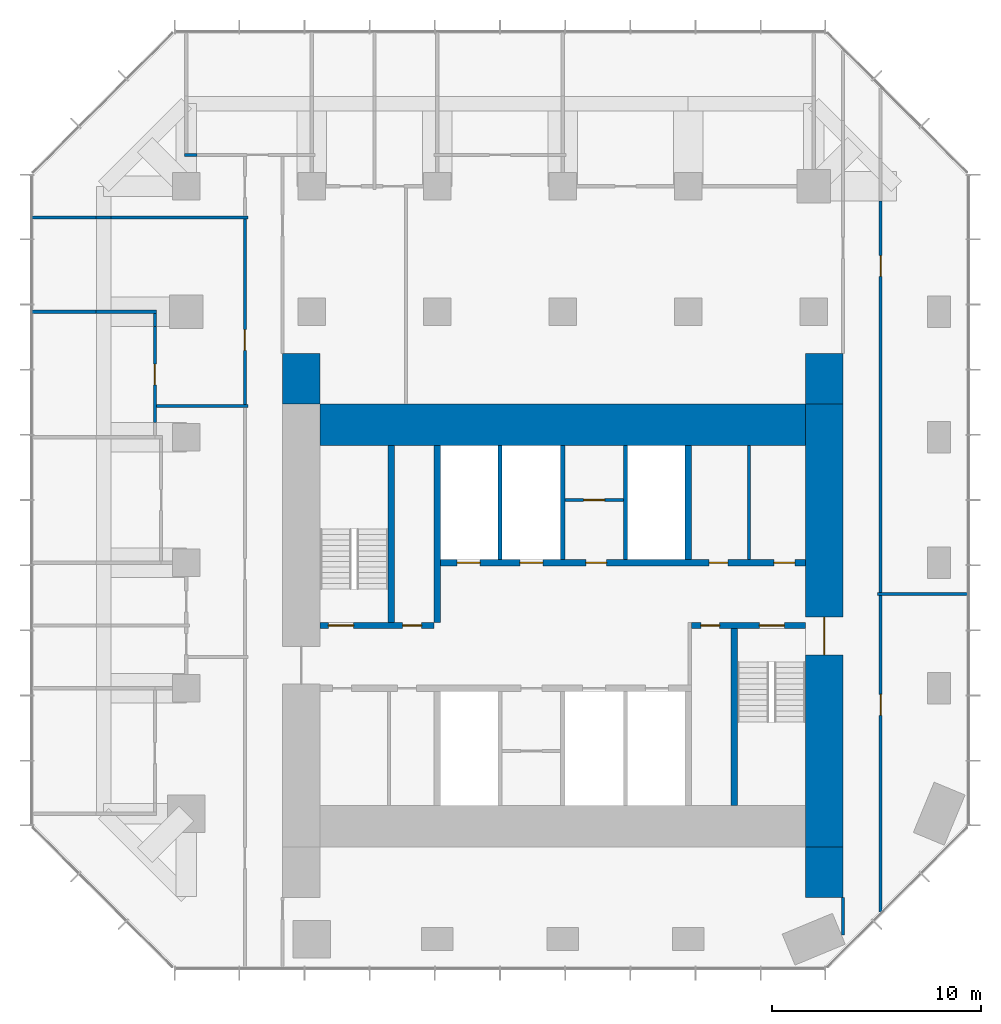
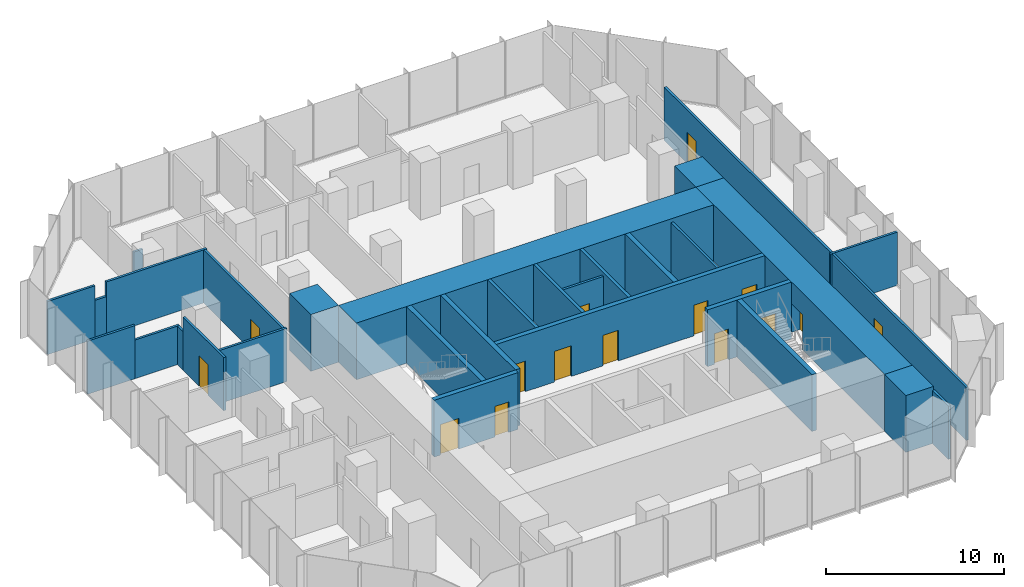
# One storey, part 9 of 11: 31 walls, 15 doors, 15 openings.
"""IFC4 building model written with IfcOpenShell, lengths in metres."""

import ifcopenshell
import ifcopenshell.guid

model = None  # the IFC model being written
_history = None  # IfcOwnerHistory: only IFC2X3 demands one
_inside = {}  # id of a spatial element -> (the spatial element, [elements in it])
_under = {}  # id of a project, library or spatial element -> (it, [spatial elements below it])
_declared = {}  # id of a project -> (the project, [libraries it declares])
_typed = {}  # id of a type object -> (the type object, [elements of that type])
_made_of = {}  # id of a material, layer set ... -> (it, [elements and type objects made of it])


def new_model(schema):
    """Start an empty IFC model of exactly this schema.

    Asked for "IFC4X3", IfcOpenShell would pick the latest addendum, in which some entities
    have other attributes; the version numbers below select the first issue.
    IFC2X3 requires an IfcOwnerHistory on every rooted entity: one is made here for all.
    """
    global model, _history
    if schema == "IFC4X3":
        model = ifcopenshell.file(schema_version=(4, 3, 0, 0))
    else:
        model = ifcopenshell.file(schema=schema)
    _inside.clear()
    _under.clear()
    _declared.clear()
    _typed.clear()
    _made_of.clear()
    _history = None
    if model.schema == "IFC2X3":
        org = make("IfcOrganization", Name="unknown")
        user = make(
            "IfcPersonAndOrganization",
            ThePerson=make("IfcPerson", FamilyName="unknown"),
            TheOrganization=org,
        )
        app = make(
            "IfcApplication",
            ApplicationDeveloper=org,
            Version="unknown",
            ApplicationFullName="unknown",
            ApplicationIdentifier="unknown",
        )
        _history = make(
            "IfcOwnerHistory",
            OwningUser=user,
            OwningApplication=app,
            ChangeAction="ADDED",
            CreationDate=0,
        )
    return model


def make(cls, **values):
    """One entity of the class cls with the attributes given. An attribute that is None is left unset."""
    return model.create_entity(
        cls, **{name: value for name, value in values.items() if value is not None}
    )


def rooted(cls, **values):
    """An entity with a GlobalId (a new one), such as an element, a storey or a relation."""
    return make(cls, GlobalId=ifcopenshell.guid.new(), OwnerHistory=_history, **values)


def si_unit(unit_type, name, prefix=None):
    """IfcSIUnit, for example si_unit("LENGTHUNIT", "METRE", prefix="MILLI")."""
    return make("IfcSIUnit", UnitType=unit_type, Prefix=prefix, Name=name)


def assignment(units):
    """IfcUnitAssignment: the units of a project."""
    return None if units is None else make("IfcUnitAssignment", Units=units)


def point(xyz):
    """IfcCartesianPoint."""
    return None if xyz is None else make("IfcCartesianPoint", Coordinates=xyz)


def direction(xyz):
    """IfcDirection."""
    return None if xyz is None else make("IfcDirection", DirectionRatios=xyz)


def frame(location, z_axis=None, x_axis=None):
    """IfcAxis2Placement3D, a coordinate frame: its origin and axes. An axis left out is left unset."""
    return make(
        "IfcAxis2Placement3D",
        Location=point(location),
        Axis=direction(z_axis),
        RefDirection=direction(x_axis),
    )


def frame_2d(location, x_axis=None):
    """IfcAxis2Placement2D, a coordinate frame in the plane: its origin and x axis."""
    return make(
        "IfcAxis2Placement2D", Location=point(location), RefDirection=direction(x_axis)
    )


def origin():
    """The frame at (0, 0, 0) with its axes left unset."""
    return frame((0.0, 0.0, 0.0))


def place(relative_to, where):
    """IfcLocalPlacement: puts the frame where relative to a parent placement (None: the world)."""
    return make(
        "IfcLocalPlacement", PlacementRelTo=relative_to, RelativePlacement=where
    )


def context(
    kind, dimensions, precision=None, world=None, true_north=None, identifier=None
):
    """IfcGeometricRepresentationContext, for example the 3D "Model" context."""
    return make(
        "IfcGeometricRepresentationContext",
        ContextIdentifier=identifier,
        ContextType=kind,
        CoordinateSpaceDimension=dimensions,
        Precision=precision,
        WorldCoordinateSystem=world,
        TrueNorth=true_north,
    )


def subcontext(parent, identifier, kind, view, scale=None):
    """IfcGeometricRepresentationSubContext, for example "Body" below "Model"."""
    return make(
        "IfcGeometricRepresentationSubContext",
        ContextIdentifier=identifier,
        ContextType=kind,
        ParentContext=parent,
        TargetScale=scale,
        TargetView=view,
    )


def project(units=None, contexts=None):
    """IfcProject with its units and contexts."""
    return rooted(
        "IfcProject",
        Name="project",
        RepresentationContexts=contexts,
        UnitsInContext=assignment(units),
    )


def spatial(cls, under=None, at=None, **own):
    """A site, building, storey or space (cls), placed at a placement, below another one or the project."""
    s = rooted(cls, ObjectPlacement=at, **own)
    if under is not None:
        _under.setdefault(under.id(), (under, []))[1].append(s)
    return s


def profile(cls, at=None, kind="AREA", **sizes):
    """A parametric profile (cls). Its sizes go by their IFC names, for example OverallWidth=200.0."""
    return make(cls, ProfileType=kind, Position=at, **sizes)


def rectangle(**sizes):
    """IfcRectangleProfileDef."""
    return profile("IfcRectangleProfileDef", **sizes)


def extrude(swept, where, along, depth):
    """IfcExtrudedAreaSolid: the profile swept, set in the frame where, extruded along a direction by depth."""
    return make(
        "IfcExtrudedAreaSolid",
        SweptArea=swept,
        Position=where,
        ExtrudedDirection=direction(along),
        Depth=depth,
    )


def shape(context_of_items, identifier, shape_type, items):
    """IfcShapeRepresentation: the items that make up one representation, for example the "Body"."""
    return make(
        "IfcShapeRepresentation",
        ContextOfItems=context_of_items,
        RepresentationIdentifier=identifier,
        RepresentationType=shape_type,
        Items=items,
    )


def material(Name=None, Category=None):
    """IfcMaterial."""
    return make("IfcMaterial", Name=Name, Category=Category)


def layer(
    of_material, thickness, ventilated=None, Name=None, Category=None, Priority=None
):
    """IfcMaterialLayer: one layer of a wall or slab, of a material (None: an air gap)."""
    return make(
        "IfcMaterialLayer",
        Material=of_material,
        LayerThickness=thickness,
        IsVentilated=ventilated,
        Name=Name,
        Category=Category,
        Priority=Priority,
    )


def layer_set(layers, Name=None):
    """IfcMaterialLayerSet."""
    return make("IfcMaterialLayerSet", MaterialLayers=layers, LayerSetName=Name)


def made_of(thing, what):
    """Note that an element or type object is made of a material, layer set ...; save() writes the relation."""
    if what is not None:
        _made_of.setdefault(what.id(), (what, []))[1].append(thing)
    return thing


def type_object(cls, material=None, **own):
    """A type object (cls), such as IfcWallType, which elements share."""
    return made_of(rooted(cls, **own), material)


def element(
    cls,
    number,
    at=None,
    inside=None,
    cuts=None,
    type_object=None,
    material=None,
    context=None,
    identifier="Body",
    shape_type=None,
    held_by="IfcProductDefinitionShape",
    body=None,
    shapes=None,
    **own,
):
    """One element of the class cls, such as IfcWall. Its Tag is "e" and its number.

    at: its placement. inside: the storey or other place that contains it. cuts: it is an
    opening in that element (IfcRelVoidsElement). A single representation is given by context,
    identifier, shape_type and body (its items); several are given by shapes. held_by: the class
    of the entity that holds the representations. save() writes the other relations.
    """
    e = rooted(cls, Tag="e%d" % number, ObjectPlacement=at, **own)
    if body is not None:
        shapes = [shape(context, identifier, shape_type, body)]
    if shapes is not None:
        e.Representation = make(held_by, Representations=shapes)
    if inside is not None:
        _inside.setdefault(inside.id(), (inside, []))[1].append(e)
    if cuts is not None:
        rooted(
            "IfcRelVoidsElement", RelatingBuildingElement=cuts, RelatedOpeningElement=e
        )
    if type_object is not None:
        _typed.setdefault(type_object.id(), (type_object, []))[1].append(e)
    return made_of(e, material)


def fill(opening, filler):
    """IfcRelFillsElement: the door or window that sits in an opening."""
    return rooted(
        "IfcRelFillsElement",
        RelatingOpeningElement=opening,
        RelatedBuildingElement=filler,
    )


def aggregate(whole, parts):
    """IfcRelAggregates: a whole, such as a stair, and the parts it consists of."""
    return rooted("IfcRelAggregates", RelatingObject=whole, RelatedObjects=parts)


def save(model, path):
    """Write the relations noted so far, then the file.

    IfcRelAggregates (storeys below a building ...), IfcRelContainedInSpatialStructure (elements
    in a storey), IfcRelDefinesByType, IfcRelAssociatesMaterial and IfcRelDeclares: one each for
    every whole, place, type object, material and project.
    """
    for whole, parts in _under.values():
        aggregate(whole, parts)
    for where, things in _inside.values():
        rooted(
            "IfcRelContainedInSpatialStructure",
            RelatedElements=things,
            RelatingStructure=where,
        )
    for kind, things in _typed.values():
        rooted("IfcRelDefinesByType", RelatedObjects=things, RelatingType=kind)
    for what, things in _made_of.values():
        rooted("IfcRelAssociatesMaterial", RelatedObjects=things, RelatingMaterial=what)
    for by, libraries in _declared.values():
        rooted("IfcRelDeclares", RelatingContext=by, RelatedDefinitions=libraries)
    model.write(path)


model = new_model("IFC4")

# Units and contexts
model_context = context("Model", 3, precision=1e-05, world=origin(), true_north=direction((0.0, 1.0)))
body_context = subcontext(model_context, "Body", "Model", "MODEL_VIEW")
ifc_project = project(units=[si_unit("LENGTHUNIT", "METRE"), si_unit("AREAUNIT", "SQUARE_METRE"), si_unit("VOLUMEUNIT", "CUBIC_METRE"), si_unit("PLANEANGLEUNIT", "RADIAN"), si_unit("MASSUNIT", "GRAM", prefix="KILO")], contexts=[model_context])

# Site, building, storey
site_placement = place(None, origin())
site = spatial("IfcSite", under=ifc_project, at=site_placement, CompositionType="ELEMENT")
building_placement = place(site_placement, origin())
building = spatial("IfcBuilding", under=site, at=building_placement, Name="Highveld Stack Headquarters", CompositionType="ELEMENT")
storey_placement = place(building_placement, frame((0.0, 0.0, 200.60009765625)))
storey = spatial("IfcBuildingStorey", under=building, at=storey_placement, Name="L49", CompositionType="ELEMENT", Elevation=200.60009765625)

# Wall, opening, door
ifc_material_1 = material(Name="Concrete C60/75", Category="concrete")
ifc_layer_1 = layer(ifc_material_1, 1.800048828125)
ifc_layer_set_1 = layer_set([ifc_layer_1], Name="Concrete C60/75")
wall_type_1 = type_object("IfcWallType", Name="CORE WALL 1800 C60/75", PredefinedType="SHEAR", material=ifc_layer_set_1)
wall_1_placement = place(storey_placement, frame((18.5, -7.60009765625, 0.0), z_axis=(0.0, 0.0, 1.0), x_axis=(0.0, 1.0, 0.0)))
wall_1 = element("IfcWall", 1, at=wall_1_placement, inside=storey, type_object=wall_type_1, Name="Core wall E L49", PredefinedType="SHEAR", context=body_context, shape_type="SweptSolid", body=[
    extrude(rectangle(XDim=21.2001953125, YDim=1.800048828125, at=frame_2d((10.60009765625, 0.0))), origin(), (0.0, 0.0, 1.0), 3.89990234375),
])
opening_1_placement = place(wall_1_placement, frame((9.199951171875, 0.0, 0.0)))
opening_1 = element("IfcOpeningElement", 2, at=opening_1_placement, cuts=wall_1, Name="Opening L49-02", PredefinedType="OPENING", context=body_context, shape_type="SweptSolid", body=[
    extrude(rectangle(XDim=1.800048828125, YDim=2.39990234375, at=frame_2d((0.89990234375, 1.199951171875))), frame((0.0, 0.909912109375, 0.0), z_axis=(0.0, -1.0, 0.0), x_axis=(1.0, 0.0, 0.0)), (0.0, 0.0, 1.0), 1.820068359375),
])
ifc_material_2 = material(Name="Steel fire door", Category="steel")
door_type_1 = type_object("IfcDoorType", Name="LOBBY FIRE DOOR D4 1800x2400", OperationType="DOUBLE_DOOR_SINGLE_SWING", PredefinedType="DOOR", material=ifc_material_2)
door_1_placement = place(opening_1_placement, origin())
door_1 = element("IfcDoor", 3, at=door_1_placement, inside=storey, type_object=door_type_1, Name="Core east door L49", OperationType="DOUBLE_DOOR_SINGLE_SWING", OverallHeight=2.39990234375, OverallWidth=1.800048828125, PredefinedType="DOOR", context=body_context, shape_type="SweptSolid", body=[
    extrude(rectangle(XDim=1.800048828125, YDim=2.39990234375, at=frame_2d((0.89990234375, 1.199951171875))), frame((0.0, 0.02490234375, 0.0), z_axis=(0.0, -1.0, 0.0), x_axis=(1.0, 0.0, 0.0)), (0.0, 0.0, 1.0), 0.050048828125),
])
fill(opening_1, door_1)

# Wall
ifc_material_3 = material(Name="Concrete C60/75", Category="concrete")
ifc_layer_2 = layer(ifc_material_3, 2.0)
ifc_layer_set_2 = layer_set([ifc_layer_2], Name="Concrete C60/75")
wall_type_2 = type_object("IfcWallType", Name="CORE WALL 2000 C60/75", PredefinedType="SHEAR", material=ifc_layer_set_2)
wall_2_placement = place(storey_placement, frame((-5.60009765625, 12.60009765625, 0.0), z_axis=(0.0, 0.0, 1.0), x_axis=(1.0, 0.0, 0.0)))
element("IfcWall", 4, at=wall_2_placement, inside=storey, type_object=wall_type_2, Name="Core wall N L49", PredefinedType="SHEAR", context=body_context, shape_type="SweptSolid", body=[
    extrude(rectangle(XDim=23.2001953125, YDim=2.0, at=frame_2d((11.60009765625, 0.0))), origin(), (0.0, 0.0, 1.0), 3.89990234375),
])

# Wall, openings, doors
ifc_material_4 = material(Name="Concrete C60/75", Category="concrete")
ifc_layer_3 = layer(ifc_material_4, 0.300048828125)
ifc_layer_set_3 = layer_set([ifc_layer_3], Name="Concrete C60/75")
wall_type_3 = type_object("IfcWallType", Name="CORE WALL 300 C60/75", PredefinedType="SHEAR", material=ifc_layer_set_3)
wall_3_placement = place(storey_placement, frame((-5.60009765625, 3.0, 0.0), z_axis=(0.0, 0.0, 1.0), x_axis=(1.0, 0.0, 0.0)))
wall_3 = element("IfcWall", 5, at=wall_3_placement, inside=storey, type_object=wall_type_3, Name="Core wall I-Y3W L49", PredefinedType="SHEAR", context=body_context, shape_type="SweptSolid", body=[
    extrude(rectangle(XDim=5.4501953125, YDim=0.300048828125, at=frame_2d((2.72509765625, 0.0))), origin(), (0.0, 0.0, 1.0), 3.89990234375),
])
opening_2_placement = place(wall_3_placement, frame((0.39990234375, 0.0, 0.0)))
opening_2 = element("IfcOpeningElement", 6, at=opening_2_placement, cuts=wall_3, Name="Opening L49-03", PredefinedType="OPENING", context=body_context, shape_type="SweptSolid", body=[
    extrude(rectangle(XDim=1.199951171875, YDim=2.10009765625, at=frame_2d((0.60009765625, 1.050048828125))), frame((0.0, 0.159912109375, 0.0), z_axis=(0.0, -1.0, 0.0), x_axis=(1.0, 0.0, 0.0)), (0.0, 0.0, 1.0), 0.320068359375),
])
opening_3_placement = place(wall_3_placement, frame((3.949951171875, 0.0, 0.0)))
opening_3 = element("IfcOpeningElement", 7, at=opening_3_placement, cuts=wall_3, Name="Opening L49-04", PredefinedType="OPENING", context=body_context, shape_type="SweptSolid", body=[
    extrude(rectangle(XDim=0.89990234375, YDim=2.10009765625, at=frame_2d((0.449951171875, 1.050048828125))), frame((0.0, 0.159912109375, 0.0), z_axis=(0.0, -1.0, 0.0), x_axis=(1.0, 0.0, 0.0)), (0.0, 0.0, 1.0), 0.320068359375),
])
ifc_material_5 = material(Name="Steel fire door", Category="steel")
door_type_2 = type_object("IfcDoorType", Name="RISER ACCESS DOOR D5 900x2100", OperationType="SINGLE_SWING_LEFT", PredefinedType="DOOR", material=ifc_material_5)
door_2_placement = place(opening_3_placement, origin())
door_2 = element("IfcDoor", 8, at=door_2_placement, inside=storey, type_object=door_type_2, Name="Riser R1 door L49", OperationType="SINGLE_SWING_RIGHT", OverallHeight=2.10009765625, OverallWidth=0.89990234375, PredefinedType="DOOR", context=body_context, shape_type="SweptSolid", body=[
    extrude(rectangle(XDim=0.89990234375, YDim=2.10009765625, at=frame_2d((0.449951171875, 1.050048828125))), frame((0.0, 0.02490234375, 0.0), z_axis=(0.0, -1.0, 0.0), x_axis=(1.0, 0.0, 0.0)), (0.0, 0.0, 1.0), 0.050048828125),
])
fill(opening_3, door_2)
ifc_material_6 = material(Name="Steel fire door", Category="steel")
door_type_3 = type_object("IfcDoorType", Name="STAIR FIRE DOOR D3 1200x2100", OperationType="SINGLE_SWING_LEFT", PredefinedType="DOOR", material=ifc_material_6)
door_3_placement = place(opening_2_placement, origin())
door_3 = element("IfcDoor", 9, at=door_3_placement, inside=storey, type_object=door_type_3, Name="Stair S1 door L49", OperationType="SINGLE_SWING_LEFT", OverallHeight=2.10009765625, OverallWidth=1.199951171875, PredefinedType="DOOR", context=body_context, shape_type="SweptSolid", body=[
    extrude(rectangle(XDim=1.199951171875, YDim=2.10009765625, at=frame_2d((0.60009765625, 1.050048828125))), frame((0.0, 0.02490234375, 0.0), z_axis=(0.0, -1.0, 0.0), x_axis=(1.0, 0.0, 0.0)), (0.0, 0.0, 1.0), 0.050048828125),
])
fill(opening_2, door_3)

wall_4_placement = place(storey_placement, frame((12.14990234375, 3.0, 0.0), z_axis=(0.0, 0.0, 1.0), x_axis=(1.0, 0.0, 0.0)))
wall_4 = element("IfcWall", 10, at=wall_4_placement, inside=storey, type_object=wall_type_3, Name="Core wall I-Y3E L49", PredefinedType="SHEAR", context=body_context, shape_type="SweptSolid", body=[
    extrude(rectangle(XDim=5.4501953125, YDim=0.300048828125, at=frame_2d((2.72509765625, 0.0))), origin(), (0.0, 0.0, 1.0), 3.89990234375),
])
opening_4_placement = place(wall_4_placement, frame((3.25, 0.0, 0.0)))
opening_4 = element("IfcOpeningElement", 11, at=opening_4_placement, cuts=wall_4, Name="Opening L49-05", PredefinedType="OPENING", context=body_context, shape_type="SweptSolid", body=[
    extrude(rectangle(XDim=1.199951171875, YDim=2.10009765625, at=frame_2d((0.60009765625, 1.050048828125))), frame((0.0, 0.159912109375, 0.0), z_axis=(0.0, -1.0, 0.0), x_axis=(1.0, 0.0, 0.0)), (0.0, 0.0, 1.0), 0.320068359375),
])
opening_5_placement = place(wall_4_placement, frame((0.449951171875, 0.0, 0.0)))
opening_5 = element("IfcOpeningElement", 12, at=opening_5_placement, cuts=wall_4, Name="Opening L49-06", PredefinedType="OPENING", context=body_context, shape_type="SweptSolid", body=[
    extrude(rectangle(XDim=0.89990234375, YDim=2.10009765625, at=frame_2d((0.449951171875, 1.050048828125))), frame((0.0, 0.159912109375, 0.0), z_axis=(0.0, -1.0, 0.0), x_axis=(1.0, 0.0, 0.0)), (0.0, 0.0, 1.0), 0.320068359375),
])
door_4_placement = place(opening_5_placement, origin())
door_4 = element("IfcDoor", 13, at=door_4_placement, inside=storey, type_object=door_type_2, Name="Riser R2 door L49", OperationType="SINGLE_SWING_LEFT", OverallHeight=2.10009765625, OverallWidth=0.89990234375, PredefinedType="DOOR", context=body_context, shape_type="SweptSolid", body=[
    extrude(rectangle(XDim=0.89990234375, YDim=2.10009765625, at=frame_2d((0.449951171875, 1.050048828125))), frame((0.0, 0.02490234375, 0.0), z_axis=(0.0, -1.0, 0.0), x_axis=(1.0, 0.0, 0.0)), (0.0, 0.0, 1.0), 0.050048828125),
])
fill(opening_5, door_4)
door_5_placement = place(opening_4_placement, origin())
door_5 = element("IfcDoor", 14, at=door_5_placement, inside=storey, type_object=door_type_3, Name="Stair S2 door L49", OperationType="SINGLE_SWING_RIGHT", OverallHeight=2.10009765625, OverallWidth=1.199951171875, PredefinedType="DOOR", context=body_context, shape_type="SweptSolid", body=[
    extrude(rectangle(XDim=1.199951171875, YDim=2.10009765625, at=frame_2d((0.60009765625, 1.050048828125))), frame((0.0, 0.02490234375, 0.0), z_axis=(0.0, -1.0, 0.0), x_axis=(1.0, 0.0, 0.0)), (0.0, 0.0, 1.0), 0.050048828125),
])
fill(opening_4, door_5)

wall_5_placement = place(storey_placement, frame((-0.14990234375, 6.0, 0.0), z_axis=(0.0, 0.0, 1.0), x_axis=(1.0, 0.0, 0.0)))
wall_5 = element("IfcWall", 15, at=wall_5_placement, inside=storey, type_object=wall_type_3, Name="Core wall I-Y6 L49", PredefinedType="SHEAR", context=body_context, shape_type="SweptSolid", body=[
    extrude(rectangle(XDim=17.75, YDim=0.300048828125, at=frame_2d((8.875, 0.0))), origin(), (0.0, 0.0, 1.0), 3.89990234375),
])
opening_6_placement = place(wall_5_placement, frame((13.14990234375, 0.0, 0.0)))
opening_6 = element("IfcOpeningElement", 16, at=opening_6_placement, cuts=wall_5, Name="Opening L49-09", PredefinedType="OPENING", context=body_context, shape_type="SweptSolid", body=[
    extrude(rectangle(XDim=0.89990234375, YDim=2.10009765625, at=frame_2d((0.449951171875, 1.050048828125))), frame((0.0, 0.159912109375, 0.0), z_axis=(0.0, -1.0, 0.0), x_axis=(1.0, 0.0, 0.0)), (0.0, 0.0, 1.0), 0.320068359375),
])
opening_7_placement = place(wall_5_placement, frame((16.25, 0.0, 0.0)))
opening_7 = element("IfcOpeningElement", 17, at=opening_7_placement, cuts=wall_5, Name="Opening L49-10", PredefinedType="OPENING", context=body_context, shape_type="SweptSolid", body=[
    extrude(rectangle(XDim=1.0, YDim=2.10009765625, at=frame_2d((0.5, 1.050048828125))), frame((0.0, 0.159912109375, 0.0), z_axis=(0.0, -1.0, 0.0), x_axis=(1.0, 0.0, 0.0)), (0.0, 0.0, 1.0), 0.320068359375),
])
opening_8_placement = place(wall_5_placement, frame((7.25, 0.0, 0.0)))
opening_8 = element("IfcOpeningElement", 18, at=opening_8_placement, cuts=wall_5, Name="Opening L49-12", PredefinedType="OPENING", context=body_context, shape_type="SweptSolid", body=[
    extrude(rectangle(XDim=1.0, YDim=2.10009765625, at=frame_2d((0.5, 1.050048828125))), frame((0.0, 0.159912109375, 0.0), z_axis=(0.0, -1.0, 0.0), x_axis=(1.0, 0.0, 0.0)), (0.0, 0.0, 1.0), 0.320068359375),
])
opening_9_placement = place(wall_5_placement, frame((1.10009765625, 0.0, 0.0)))
opening_9 = element("IfcOpeningElement", 19, at=opening_9_placement, cuts=wall_5, Name="Opening LD", PredefinedType="OPENING", context=body_context, shape_type="SweptSolid", body=[
    extrude(rectangle(XDim=1.10009765625, YDim=2.10009765625, at=frame_2d((0.550048828125, 1.050048828125))), frame((0.0, 0.159912109375, 0.0), z_axis=(0.0, -1.0, 0.0), x_axis=(1.0, 0.0, 0.0)), (0.0, 0.0, 1.0), 0.320068359375),
])
opening_10_placement = place(wall_5_placement, frame((4.10009765625, 0.0, 0.0)))
opening_10 = element("IfcOpeningElement", 20, at=opening_10_placement, cuts=wall_5, Name="Opening LD", PredefinedType="OPENING", context=body_context, shape_type="SweptSolid", body=[
    extrude(rectangle(XDim=1.10009765625, YDim=2.10009765625, at=frame_2d((0.550048828125, 1.050048828125))), frame((0.0, 0.159912109375, 0.0), z_axis=(0.0, -1.0, 0.0), x_axis=(1.0, 0.0, 0.0)), (0.0, 0.0, 1.0), 0.320068359375),
])
ifc_material_7 = material(Name="Timber door, painted", Category="wood")
door_type_4 = type_object("IfcDoorType", Name="ACCESSIBLE WC DOOR D2 1000x2100", OperationType="SINGLE_SWING_RIGHT", PredefinedType="DOOR", material=ifc_material_7)
door_6_placement = place(opening_7_placement, origin())
door_6 = element("IfcDoor", 21, at=door_6_placement, inside=storey, type_object=door_type_4, Name="Accessible WC door L49", OperationType="SINGLE_SWING_RIGHT", OverallHeight=2.10009765625, OverallWidth=1.0, PredefinedType="DOOR", context=body_context, shape_type="SweptSolid", body=[
    extrude(rectangle(XDim=1.0, YDim=2.10009765625, at=frame_2d((0.5, 1.050048828125))), frame((0.0, 0.02490234375, 0.0), z_axis=(0.0, -1.0, 0.0), x_axis=(1.0, 0.0, 0.0)), (0.0, 0.0, 1.0), 0.050048828125),
])
fill(opening_7, door_6)
ifc_material_8 = material(Name="Steel fire door", Category="steel")
door_type_5 = type_object("IfcDoorType", Name="CORE ROOM FIRE DOOR D14 1000x2100", OperationType="SINGLE_SWING_LEFT", PredefinedType="DOOR", material=ifc_material_8)
door_7_placement = place(opening_8_placement, origin())
door_7 = element("IfcDoor", 22, at=door_7_placement, inside=storey, type_object=door_type_5, Name="Capped A 1 door L49", OperationType="SINGLE_SWING_LEFT", OverallHeight=2.10009765625, OverallWidth=1.0, PredefinedType="DOOR", context=body_context, shape_type="SweptSolid", body=[
    extrude(rectangle(XDim=1.0, YDim=2.10009765625, at=frame_2d((0.5, 1.050048828125))), frame((0.0, 0.02490234375, 0.0), z_axis=(0.0, -1.0, 0.0), x_axis=(1.0, 0.0, 0.0)), (0.0, 0.0, 1.0), 0.050048828125),
])
fill(opening_8, door_7)
ifc_material_9 = material(Name="Stainless steel lift landing door", Category="steel")
door_type_6 = type_object("IfcDoorType", Name="LIFT LANDING DOOR LD 1100x2100", OperationType="DOUBLE_DOOR_SLIDING", PredefinedType="USERDEFINED", material=ifc_material_9)
door_8_placement = place(opening_9_placement, origin())
door_8 = element("IfcDoor", 23, at=door_8_placement, inside=storey, type_object=door_type_6, Name="Lift landing door FF1 L49", ObjectType="LIFT LANDING DOOR", OperationType="DOUBLE_DOOR_SLIDING", OverallHeight=2.10009765625, OverallWidth=1.10009765625, PredefinedType="USERDEFINED", context=body_context, shape_type="SweptSolid", body=[
    extrude(rectangle(XDim=1.10009765625, YDim=2.10009765625, at=frame_2d((0.550048828125, 1.050048828125))), frame((0.0, 0.02490234375, 0.0), z_axis=(0.0, -1.0, 0.0), x_axis=(1.0, 0.0, 0.0)), (0.0, 0.0, 1.0), 0.050048828125),
])
fill(opening_9, door_8)
door_9_placement = place(opening_10_placement, origin())
door_9 = element("IfcDoor", 24, at=door_9_placement, inside=storey, type_object=door_type_6, Name="Lift landing door FF2 L49", ObjectType="LIFT LANDING DOOR", OperationType="DOUBLE_DOOR_SLIDING", OverallHeight=2.10009765625, OverallWidth=1.10009765625, PredefinedType="USERDEFINED", context=body_context, shape_type="SweptSolid", body=[
    extrude(rectangle(XDim=1.10009765625, YDim=2.10009765625, at=frame_2d((0.550048828125, 1.050048828125))), frame((0.0, 0.02490234375, 0.0), z_axis=(0.0, -1.0, 0.0), x_axis=(1.0, 0.0, 0.0)), (0.0, 0.0, 1.0), 0.050048828125),
])
fill(opening_10, door_9)
ifc_material_10 = material(Name="Timber door, painted", Category="wood")
door_type_7 = type_object("IfcDoorType", Name="WC DOOR D1 900x2100", OperationType="SINGLE_SWING_LEFT", PredefinedType="DOOR", material=ifc_material_10)
door_10_placement = place(opening_6_placement, origin())
door_10 = element("IfcDoor", 25, at=door_10_placement, inside=storey, type_object=door_type_7, Name="Male WC door L49", OperationType="SINGLE_SWING_RIGHT", OverallHeight=2.10009765625, OverallWidth=0.89990234375, PredefinedType="DOOR", context=body_context, shape_type="SweptSolid", body=[
    extrude(rectangle(XDim=0.89990234375, YDim=2.10009765625, at=frame_2d((0.449951171875, 1.050048828125))), frame((0.0, 0.02490234375, 0.0), z_axis=(0.0, -1.0, 0.0), x_axis=(1.0, 0.0, 0.0)), (0.0, 0.0, 1.0), 0.050048828125),
])
fill(opening_6, door_10)

# Walls
wall_6_placement = place(storey_placement, frame((0.0, 3.14990234375, 0.0), z_axis=(0.0, 0.0, 1.0), x_axis=(0.0, 1.0, 0.0)))
element("IfcWall", 26, at=wall_6_placement, inside=storey, type_object=wall_type_3, Name="Core wall I-X0N L49", PredefinedType="SHEAR", context=body_context, shape_type="SweptSolid", body=[
    extrude(rectangle(XDim=8.4501953125, YDim=0.300048828125, at=frame_2d((4.22509765625, 0.0))), origin(), (0.0, 0.0, 1.0), 3.89990234375),
])
wall_7_placement = place(storey_placement, frame((12.0, 6.14990234375, 0.0), z_axis=(0.0, 0.0, 1.0), x_axis=(0.0, 1.0, 0.0)))
element("IfcWall", 27, at=wall_7_placement, inside=storey, type_object=wall_type_3, Name="Core wall I-X12N L49", PredefinedType="SHEAR", context=body_context, shape_type="SweptSolid", body=[
    extrude(rectangle(XDim=5.4501953125, YDim=0.300048828125, at=frame_2d((2.72509765625, 0.0))), origin(), (0.0, 0.0, 1.0), 3.89990234375),
])
for number, where, z_axis, x_axis, name in (
    (28, (-2.199951171875, 3.14990234375, 0.0), (0.0, 0.0, 1.0), (0.0, 1.0, 0.0), "Core wall I-RW L49"),
    (29, (14.199951171875, -5.60009765625, 0.0), (0.0, 0.0, 1.0), (0.0, 1.0, 0.0), "Core wall I-RE L49"),
):
    element("IfcWall", number, at=place(storey_placement, frame(where, z_axis=z_axis, x_axis=x_axis)), inside=storey, type_object=wall_type_3, Name=name, PredefinedType="SHEAR", context=body_context, shape_type="SweptSolid", body=[
        extrude(rectangle(XDim=8.4501953125, YDim=0.300048828125, at=frame_2d((4.22509765625, 0.0))), origin(), (0.0, 0.0, 1.0), 3.89990234375),
    ])
ifc_material_11 = material(Name="Concrete C60/75", Category="concrete")
ifc_layer_4 = layer(ifc_material_11, 1.800048828125)
ifc_layer_set_4 = layer_set([ifc_layer_4], Name="Concrete C60/75")
wall_type_4 = type_object("IfcWallType", Name="CORE WING WALL 1800 C60/75", PredefinedType="SHEAR", material=ifc_layer_set_4)
for number, where, z_axis, x_axis, name in (
    (30, (-6.5, 13.60009765625, 0.0), (0.0, 0.0, 1.0), (0.0, 1.0, 0.0), "Core wing wall WN L49"),
    (31, (18.5, -10.0, 0.0), (0.0, 0.0, 1.0), (0.0, 1.0, 0.0), "Core wing wall ES L49"),
    (32, (18.5, 13.60009765625, 0.0), (0.0, 0.0, 1.0), (0.0, 1.0, 0.0), "Core wing wall EN L49"),
):
    element("IfcWall", number, at=place(storey_placement, frame(where, z_axis=z_axis, x_axis=x_axis)), inside=storey, type_object=wall_type_4, Name=name, PredefinedType="SHEAR", context=body_context, shape_type="SweptSolid", body=[
        extrude(rectangle(XDim=2.39990234375, YDim=1.800048828125, at=frame_2d((1.199951171875, 0.0))), origin(), (0.0, 0.0, 1.0), 3.89990234375),
    ])

# Wall, opening, door
ifc_material_12 = material(Name="Concrete blockwork, plastered", Category="masonry")
ifc_layer_5 = layer(ifc_material_12, 0.14990234375)
ifc_layer_set_5 = layer_set([ifc_layer_5], Name="Concrete blockwork, plastered")
wall_type_5 = type_object("IfcWallType", Name="FIRE PARTITION 150 BLOCKWORK", PredefinedType="PARTITIONING", material=ifc_layer_set_5)
wall_8_placement = place(storey_placement, frame((6.10009765625, 9.0, 0.0), z_axis=(0.0, 0.0, 1.0), x_axis=(1.0, 0.0, 0.0)))
wall_8 = element("IfcWall", 33, at=wall_8_placement, inside=storey, type_object=wall_type_5, Name="Core room partition L49", PredefinedType="PARTITIONING", context=body_context, shape_type="SweptSolid", body=[
    extrude(rectangle(XDim=2.7998046875, YDim=0.14990234375, at=frame_2d((1.39990234375, 0.0))), origin(), (0.0, 0.0, 1.0), 3.64990234375),
])
opening_11_placement = place(wall_8_placement, frame((0.89990234375, 0.0, 0.0)))
opening_11 = element("IfcOpeningElement", 34, at=opening_11_placement, cuts=wall_8, Name="Opening L49-11", PredefinedType="OPENING", context=body_context, shape_type="SweptSolid", body=[
    extrude(rectangle(XDim=1.0, YDim=2.10009765625, at=frame_2d((0.5, 1.050048828125))), frame((0.0, 0.0849609375, 0.0), z_axis=(0.0, -1.0, 0.0), x_axis=(1.0, 0.0, 0.0)), (0.0, 0.0, 1.0), 0.169921875),
])
door_11_placement = place(opening_11_placement, origin())
door_11 = element("IfcDoor", 35, at=door_11_placement, inside=storey, type_object=door_type_5, Name="Capped A 2 door L49", OperationType="SINGLE_SWING_RIGHT", OverallHeight=2.10009765625, OverallWidth=1.0, PredefinedType="DOOR", context=body_context, shape_type="SweptSolid", body=[
    extrude(rectangle(XDim=1.0, YDim=2.10009765625, at=frame_2d((0.5, 1.050048828125))), frame((0.0, 0.02490234375, 0.0), z_axis=(0.0, -1.0, 0.0), x_axis=(1.0, 0.0, 0.0)), (0.0, 0.0, 1.0), 0.050048828125),
])
fill(opening_11, door_11)

# Walls
ifc_material_13 = material(Name="Concrete blockwork, fair-faced", Category="masonry")
ifc_layer_6 = layer(ifc_material_13, 0.199951171875)
ifc_layer_set_6 = layer_set([ifc_layer_6], Name="Concrete blockwork, fair-faced")
wall_type_6 = type_object("IfcWallType", Name="LIFT SHAFT ENCLOSURE WALL 200 BLOCKWORK", PredefinedType="SOLIDWALL", material=ifc_layer_set_6)
for number, where, z_axis, x_axis, name in (
    (36, (3.0, 6.14990234375, 0.0), (0.0, 0.0, 1.0), (0.0, 1.0, 0.0), "Lift shaft wall L49"),
    (37, (6.0, 6.14990234375, 0.0), (0.0, 0.0, 1.0), (0.0, 1.0, 0.0), "Lift shaft wall L49"),
    (38, (9.0, 6.14990234375, 0.0), (0.0, 0.0, 1.0), (0.0, 1.0, 0.0), "Lift shaft wall L49"),
):
    element("IfcWall", number, at=place(storey_placement, frame(where, z_axis=z_axis, x_axis=x_axis)), inside=storey, type_object=wall_type_6, Name=name, PredefinedType="SOLIDWALL", context=body_context, shape_type="SweptSolid", body=[
        extrude(rectangle(XDim=5.4501953125, YDim=0.199951171875, at=frame_2d((2.72509765625, 0.0))), origin(), (0.0, 0.0, 1.0), 3.89990234375),
    ])
ifc_material_14 = material(Name="Gypsum plasterboard on steel studs", Category="steel")
ifc_layer_7 = layer(ifc_material_14, 0.14990234375)
ifc_layer_set_7 = layer_set([ifc_layer_7], Name="Gypsum plasterboard on steel studs")
wall_type_7 = type_object("IfcWallType", Name="PARTITION 150 PLASTERBOARD", PredefinedType="PARTITIONING", material=ifc_layer_set_7)
wall_9_placement = place(storey_placement, frame((-19.39990234375, 18.0, 0.0), z_axis=(0.0, 0.0, 1.0), x_axis=(1.0, 0.0, 0.0)))
element("IfcWall", 39, at=wall_9_placement, inside=storey, type_object=wall_type_7, Name="Partition Quiet room L49", PredefinedType="PARTITIONING", context=body_context, shape_type="SweptSolid", body=[
    extrude(rectangle(XDim=3.08984375, YDim=0.14990234375, at=frame_2d((1.544921875, 0.0))), origin(), (0.0, 0.0, 1.0), 3.64990234375),
])
wall_10_placement = place(storey_placement, frame((-16.31005859375, 18.0, 0.0), z_axis=(0.0, 0.0, 1.0), x_axis=(1.0, 0.0, 0.0)))
element("IfcWall", 40, at=wall_10_placement, inside=storey, type_object=wall_type_7, Name="Partition Quiet room L49", PredefinedType="PARTITIONING", context=body_context, shape_type="SweptSolid", body=[
    extrude(rectangle(XDim=2.885009765625, YDim=0.14990234375, at=frame_2d((1.4423828125, 0.0))), origin(), (0.0, 0.0, 1.0), 2.64990234375),
])
wall_11_placement = place(storey_placement, frame((-12.074951171875, 25.5, 0.0), z_axis=(0.0, 0.0, 1.0), x_axis=(1.0, 0.0, 0.0)))
element("IfcWall", 41, at=wall_11_placement, inside=storey, type_object=wall_type_7, Name="Partition Quiet room L49", PredefinedType="PARTITIONING", context=body_context, shape_type="SweptSolid", body=[
    extrude(rectangle(XDim=0.5849609375, YDim=0.14990234375, at=frame_2d((0.29248046875, 0.0))), origin(), (0.0, 0.0, 1.0), 2.64990234375),
])

# Wall, opening, door
wall_12_placement = place(storey_placement, frame((-13.5, 12.7099609375, 0.0), z_axis=(0.0, 0.0, 1.0), x_axis=(0.0, 1.0, 0.0)))
wall_12 = element("IfcWall", 42, at=wall_12_placement, inside=storey, type_object=wall_type_7, Name="Partition Quiet room L49", PredefinedType="PARTITIONING", context=body_context, shape_type="SweptSolid", body=[
    extrude(rectangle(XDim=4.580078125, YDim=0.14990234375, at=frame_2d((2.2900390625, 0.0))), origin(), (0.0, 0.0, 1.0), 3.64990234375),
])
opening_12_placement = place(wall_12_placement, frame((1.7900390625, 0.0, 0.0)))
opening_12 = element("IfcOpeningElement", 43, at=opening_12_placement, cuts=wall_12, Name="Opening L49-19", PredefinedType="OPENING", context=body_context, shape_type="SweptSolid", body=[
    extrude(rectangle(XDim=1.0, YDim=2.10009765625, at=frame_2d((0.5, 1.050048828125))), frame((0.0, 0.0849609375, 0.0), z_axis=(0.0, -1.0, 0.0), x_axis=(1.0, 0.0, 0.0)), (0.0, 0.0, 1.0), 0.169921875),
])
ifc_material_15 = material(Name="Timber door, oiled ash", Category="wood")
door_type_8 = type_object("IfcDoorType", Name="ROOM DOOR D6 1000x2100", OperationType="SINGLE_SWING_LEFT", PredefinedType="DOOR", material=ifc_material_15)
door_12_placement = place(opening_12_placement, origin())
door_12 = element("IfcDoor", 44, at=door_12_placement, inside=storey, type_object=door_type_8, Name="Quiet room door 1 L49", OperationType="SINGLE_SWING_RIGHT", OverallHeight=2.10009765625, OverallWidth=1.0, PredefinedType="DOOR", context=body_context, shape_type="SweptSolid", body=[
    extrude(rectangle(XDim=1.0, YDim=2.10009765625, at=frame_2d((0.5, 1.050048828125))), frame((0.0, 0.02490234375, 0.0), z_axis=(0.0, -1.0, 0.0), x_axis=(1.0, 0.0, 0.0)), (0.0, 0.0, 1.0), 0.050048828125),
])
fill(opening_12, door_12)

# Walls
wall_13_placement = place(storey_placement, frame((-13.5, 17.2900390625, 0.0), z_axis=(0.0, 0.0, 1.0), x_axis=(0.0, 1.0, 0.0)))
element("IfcWall", 45, at=wall_13_placement, inside=storey, type_object=wall_type_7, Name="Partition Quiet room L49", PredefinedType="PARTITIONING", context=body_context, shape_type="SweptSolid", body=[
    extrude(rectangle(XDim=0.635009765625, YDim=0.14990234375, at=frame_2d((0.3173828125, 0.0))), origin(), (0.0, 0.0, 1.0), 2.64990234375),
])
wall_14_placement = place(storey_placement, frame((-19.39990234375, 22.5, 0.0), z_axis=(0.0, 0.0, 1.0), x_axis=(1.0, 0.0, 0.0)))
element("IfcWall", 46, at=wall_14_placement, inside=storey, type_object=wall_type_7, Name="Partition office neighbourhood L49", PredefinedType="PARTITIONING", context=body_context, shape_type="SweptSolid", body=[
    extrude(rectangle(XDim=3.08984375, YDim=0.14990234375, at=frame_2d((1.544921875, 0.0))), origin(), (0.0, 0.0, 1.0), 3.64990234375),
])
wall_15_placement = place(storey_placement, frame((-16.31005859375, 22.5, 0.0), z_axis=(0.0, 0.0, 1.0), x_axis=(1.0, 0.0, 0.0)))
element("IfcWall", 47, at=wall_15_placement, inside=storey, type_object=wall_type_7, Name="Partition office neighbourhood L49", PredefinedType="PARTITIONING", context=body_context, shape_type="SweptSolid", body=[
    extrude(rectangle(XDim=0.719970703125, YDim=0.14990234375, at=frame_2d((0.35986328125, 0.0))), origin(), (0.0, 0.0, 1.0), 2.64990234375),
])
wall_16_placement = place(storey_placement, frame((-15.590087890625, 22.5, 0.0), z_axis=(0.0, 0.0, 1.0), x_axis=(1.0, 0.0, 0.0)))
element("IfcWall", 48, at=wall_16_placement, inside=storey, type_object=wall_type_7, Name="Partition office neighbourhood L49", PredefinedType="PARTITIONING", context=body_context, shape_type="SweptSolid", body=[
    extrude(rectangle(XDim=6.5400390625, YDim=0.14990234375, at=frame_2d((3.27001953125, 0.0))), origin(), (0.0, 0.0, 1.0), 3.64990234375),
])
wall_17_placement = place(storey_placement, frame((-13.425048828125, 13.5, 0.0), z_axis=(0.0, 0.0, 1.0), x_axis=(1.0, 0.0, 0.0)))
element("IfcWall", 49, at=wall_17_placement, inside=storey, type_object=wall_type_7, Name="Partition office neighbourhood L49", PredefinedType="PARTITIONING", context=body_context, shape_type="SweptSolid", body=[
    extrude(rectangle(XDim=4.375, YDim=0.14990234375, at=frame_2d((2.1875, 0.0))), origin(), (0.0, 0.0, 1.0), 3.64990234375),
])

# Wall, opening, door
wall_18_placement = place(storey_placement, frame((-9.199951171875, 13.574951171875, 0.0), z_axis=(0.0, 0.0, 1.0), x_axis=(0.0, 1.0, 0.0)))
wall_18 = element("IfcWall", 50, at=wall_18_placement, inside=storey, type_object=wall_type_7, Name="Partition office neighbourhood L49", PredefinedType="PARTITIONING", context=body_context, shape_type="SweptSolid", body=[
    extrude(rectangle(XDim=8.85009765625, YDim=0.14990234375, at=frame_2d((4.425048828125, 0.0))), origin(), (0.0, 0.0, 1.0), 3.64990234375),
])
opening_13_placement = place(wall_18_placement, frame((2.574951171875, 0.0, 0.0)))
opening_13 = element("IfcOpeningElement", 51, at=opening_13_placement, cuts=wall_18, Name="Opening L49-29", PredefinedType="OPENING", context=body_context, shape_type="SweptSolid", body=[
    extrude(rectangle(XDim=1.0, YDim=2.10009765625, at=frame_2d((0.5, 1.050048828125))), frame((0.0, 0.0849609375, 0.0), z_axis=(0.0, -1.0, 0.0), x_axis=(1.0, 0.0, 0.0)), (0.0, 0.0, 1.0), 0.169921875),
])
door_13_placement = place(opening_13_placement, origin())
door_13 = element("IfcDoor", 52, at=door_13_placement, inside=storey, type_object=door_type_8, Name="Office neighbourhood door L49", OperationType="SINGLE_SWING_LEFT", OverallHeight=2.10009765625, OverallWidth=1.0, PredefinedType="DOOR", context=body_context, shape_type="SweptSolid", body=[
    extrude(rectangle(XDim=1.0, YDim=2.10009765625, at=frame_2d((0.5, 1.050048828125))), frame((0.0, 0.02490234375, 0.0), z_axis=(0.0, -1.0, 0.0), x_axis=(1.0, 0.0, 0.0)), (0.0, 0.0, 1.0), 0.050048828125),
])
fill(opening_13, door_13)

# Wall
wall_19_placement = place(storey_placement, frame((19.39990234375, -11.8017578125, 0.0), z_axis=(0.0, 0.0, 1.0), x_axis=(0.0, 1.0, 0.0)))
element("IfcWall", 53, at=wall_19_placement, inside=storey, type_object=wall_type_7, Name="Partition office neighbourhood L49", PredefinedType="PARTITIONING", context=body_context, shape_type="SweptSolid", body=[
    extrude(rectangle(XDim=1.8017578125, YDim=0.14990234375, at=frame_2d((0.90087890625, 0.0))), origin(), (0.0, 0.0, 1.0), 3.64990234375),
])

# Wall, opening, door
wall_20_placement = place(storey_placement, frame((21.199951171875, -10.68896484375, 0.0), z_axis=(0.0, 0.0, 1.0), x_axis=(0.0, 1.0, 0.0)))
wall_20 = element("IfcWall", 54, at=wall_20_placement, inside=storey, type_object=wall_type_7, Name="Partition office neighbourhood L49", PredefinedType="PARTITIONING", context=body_context, shape_type="SweptSolid", body=[
    extrude(rectangle(XDim=15.114013671875, YDim=0.14990234375, at=frame_2d((7.55712890625, 0.0))), origin(), (0.0, 0.0, 1.0), 3.64990234375),
])
opening_14_placement = place(wall_20_placement, frame((9.389892578125, 0.0, 0.0)))
opening_14 = element("IfcOpeningElement", 55, at=opening_14_placement, cuts=wall_20, Name="Opening L49-26", PredefinedType="OPENING", context=body_context, shape_type="SweptSolid", body=[
    extrude(rectangle(XDim=1.0, YDim=2.10009765625, at=frame_2d((0.5, 1.050048828125))), frame((0.0, 0.0849609375, 0.0), z_axis=(0.0, -1.0, 0.0), x_axis=(1.0, 0.0, 0.0)), (0.0, 0.0, 1.0), 0.169921875),
])
door_14_placement = place(opening_14_placement, origin())
door_14 = element("IfcDoor", 56, at=door_14_placement, inside=storey, type_object=door_type_8, Name="Office neighbourhood door L49", OperationType="SINGLE_SWING_RIGHT", OverallHeight=2.10009765625, OverallWidth=1.0, PredefinedType="DOOR", context=body_context, shape_type="SweptSolid", body=[
    extrude(rectangle(XDim=1.0, YDim=2.10009765625, at=frame_2d((0.5, 1.050048828125))), frame((0.0, 0.02490234375, 0.0), z_axis=(0.0, -1.0, 0.0), x_axis=(1.0, 0.0, 0.0)), (0.0, 0.0, 1.0), 0.050048828125),
])
fill(opening_14, door_14)

wall_21_placement = place(storey_placement, frame((21.199951171875, 4.574951171875, 0.0), z_axis=(0.0, 0.0, 1.0), x_axis=(0.0, 1.0, 0.0)))
wall_21 = element("IfcWall", 57, at=wall_21_placement, inside=storey, type_object=wall_type_7, Name="Partition office neighbourhood L49", PredefinedType="PARTITIONING", context=body_context, shape_type="SweptSolid", body=[
    extrude(rectangle(XDim=18.715087890625, YDim=0.14990234375, at=frame_2d((9.357421875, 0.0))), origin(), (0.0, 0.0, 1.0), 3.64990234375),
])
opening_15_placement = place(wall_21_placement, frame((15.114990234375, 0.0, 0.0)))
opening_15 = element("IfcOpeningElement", 58, at=opening_15_placement, cuts=wall_21, Name="Opening L49-28", PredefinedType="OPENING", context=body_context, shape_type="SweptSolid", body=[
    extrude(rectangle(XDim=1.0, YDim=2.10009765625, at=frame_2d((0.5, 1.050048828125))), frame((0.0, 0.0849609375, 0.0), z_axis=(0.0, -1.0, 0.0), x_axis=(1.0, 0.0, 0.0)), (0.0, 0.0, 1.0), 0.169921875),
])
door_15_placement = place(opening_15_placement, origin())
door_15 = element("IfcDoor", 59, at=door_15_placement, inside=storey, type_object=door_type_8, Name="Office neighbourhood door L49", OperationType="SINGLE_SWING_RIGHT", OverallHeight=2.10009765625, OverallWidth=1.0, PredefinedType="DOOR", context=body_context, shape_type="SweptSolid", body=[
    extrude(rectangle(XDim=1.0, YDim=2.10009765625, at=frame_2d((0.5, 1.050048828125))), frame((0.0, 0.02490234375, 0.0), z_axis=(0.0, -1.0, 0.0), x_axis=(1.0, 0.0, 0.0)), (0.0, 0.0, 1.0), 0.050048828125),
])
fill(opening_15, door_15)

# Walls
wall_22_placement = place(storey_placement, frame((21.050048828125, 4.5, 0.0), z_axis=(0.0, 0.0, 1.0), x_axis=(1.0, 0.0, 0.0)))
element("IfcWall", 60, at=wall_22_placement, inside=storey, type_object=wall_type_7, Name="Partition office neighbourhood L49", PredefinedType="PARTITIONING", context=body_context, shape_type="SweptSolid", body=[
    extrude(rectangle(XDim=4.349853515625, YDim=0.14990234375, at=frame_2d((2.1748046875, 0.0))), origin(), (0.0, 0.0, 1.0), 3.64990234375),
])
ifc_material_16 = material(Name="Concrete blockwork, tiled", Category="masonry")
ifc_layer_8 = layer(ifc_material_16, 0.14990234375)
ifc_layer_set_8 = layer_set([ifc_layer_8], Name="Concrete blockwork, tiled")
wall_type_8 = type_object("IfcWallType", Name="WC PARTITION 150", PredefinedType="PLUMBINGWALL", material=ifc_layer_set_8)
wall_23_placement = place(storey_placement, frame((14.89990234375, 6.14990234375, 0.0), z_axis=(0.0, 0.0, 1.0), x_axis=(0.0, 1.0, 0.0)))
element("IfcWall", 61, at=wall_23_placement, inside=storey, type_object=wall_type_8, Name="Toilet partition L49", PredefinedType="PLUMBINGWALL", context=body_context, shape_type="SweptSolid", body=[
    extrude(rectangle(XDim=5.4501953125, YDim=0.14990234375, at=frame_2d((2.72509765625, 0.0))), origin(), (0.0, 0.0, 1.0), 3.64990234375),
])

save(model, "model.ifc")
